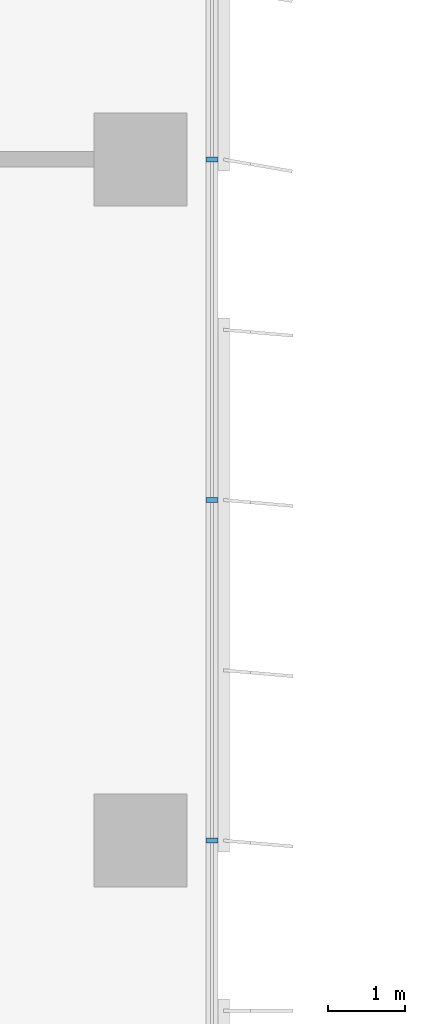
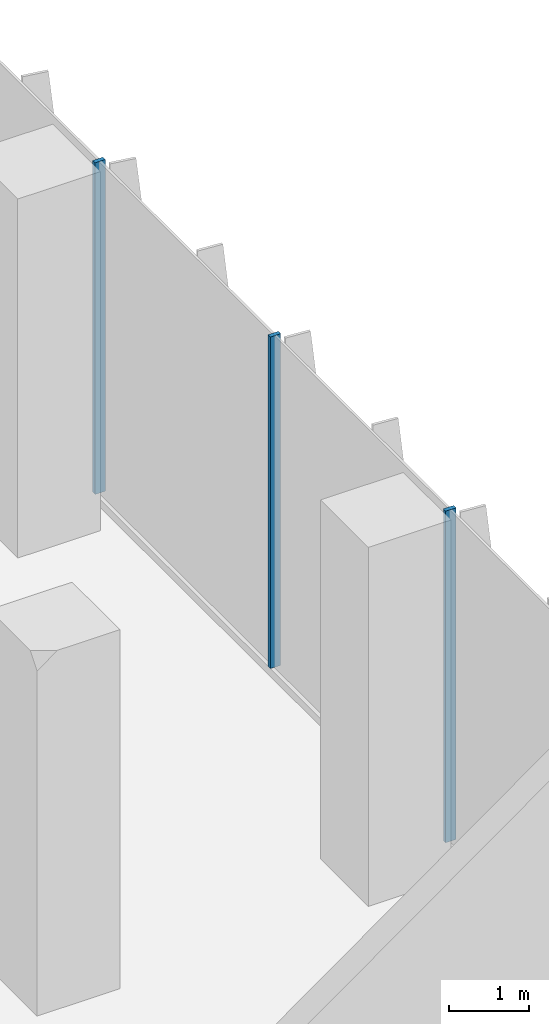
# One storey, part 7 of 26: 3 members, 1 element without a shape of its own.
"""IFC4 building model written with IfcOpenShell, lengths in metres."""

from ifc_helpers import new_model, si_unit, direction, frame, origin, origin_2d, place, context, subcontext, project, spatial, rectangle, extrude, source, transform, mapped, material, material_profile, profile_set, type_object, element, aggregate, save


model = new_model("IFC4")

# Units and contexts
model_context = context("Model", 3, precision=1e-05, world=origin(), true_north=direction((0.0, 1.0)))
body_context = subcontext(model_context, "Body", "Model", "MODEL_VIEW")
ifc_project = project(units=[si_unit("LENGTHUNIT", "METRE"), si_unit("AREAUNIT", "SQUARE_METRE"), si_unit("VOLUMEUNIT", "CUBIC_METRE"), si_unit("PLANEANGLEUNIT", "RADIAN"), si_unit("MASSUNIT", "GRAM", prefix="KILO")], contexts=[model_context])

# Site, building, storey
site_placement = place(None, origin())
site = spatial("IfcSite", under=ifc_project, at=site_placement, CompositionType="ELEMENT")
building_placement = place(site_placement, origin())
building = spatial("IfcBuilding", under=site, at=building_placement, Name="Kemantara Hotel Tower", CompositionType="ELEMENT")
storey_placement = place(building_placement, frame((0.0, 0.0, 101.89990234375)))
storey = spatial("IfcBuildingStorey", under=building, at=storey_placement, Name="L24", CompositionType="ELEMENT", Elevation=101.89990234375)

# Curtain wall, members
ifc_material_1 = material(Name="Low-E tinted double insulated glass 36 mm", Category="glass")
curtain_wall_type = type_object("IfcCurtainWallType", Name="TOWER CURTAIN WALL, FRONT FACES", PredefinedType="USERDEFINED", material=ifc_material_1)
curtain_wall_placement = place(storey_placement, origin())
curtain_wall = element("IfcCurtainWall", 1, at=curtain_wall_placement, inside=storey, type_object=curtain_wall_type, Name="CW4 L24 T2-R14-1", ObjectType="TOWER CURTAIN WALL, FRONT FACES", PredefinedType="USERDEFINED")
ifc_material_2 = material(Name="Aluminium 6063-T6 bronze anodised", Category="aluminium")
ifc_material_profile = material_profile(ifc_material_2, rectangle(XDim=0.14990234375, YDim=0.06005859375, at=origin_2d()), Name="TOWER CURTAIN WALL, FRONT FACES MULLION")
ifc_profile_set = profile_set([ifc_material_profile], Name="Aluminium 6063-T6 bronze anodised")
member_type = type_object("IfcMemberType", Name="TOWER CURTAIN WALL, FRONT FACES MULLION", PredefinedType="MULLION", material=ifc_profile_set)
shared_shape = source(origin(), body_context, "Body", "SweptSolid", [
    extrude(rectangle(XDim=0.14990234375, YDim=0.06005859375, at=origin_2d()), origin(), (0.0, 0.0, 1.0), 5.080078125),
])
member_1_placement = place(storey_placement, frame((26.72509765625, 53.800048828125, 0.1201171875), z_axis=(0.0, 0.0, 1.0), x_axis=(-1.0, 0.0, 0.0)))
member_1 = element("IfcMember", 2, at=member_1_placement, type_object=member_type, Name="CW4 mullion T2-R14-1.9", PredefinedType="MULLION", context=body_context, shape_type="MappedRepresentation", body=[
    mapped(shared_shape, transform((0.0, 0.0, 0.0))),
])
member_2_placement = place(storey_placement, frame((26.72509765625, 58.199951171875, 0.1201171875), z_axis=(0.0, 0.0, 1.0), x_axis=(-1.0, 0.0, 0.0)))
member_2 = element("IfcMember", 3, at=member_2_placement, type_object=member_type, Name="CW4 mullion T2-R14-1.10", PredefinedType="MULLION", context=body_context, shape_type="MappedRepresentation", body=[
    mapped(shared_shape, transform((0.0, 0.0, 0.0))),
])
member_3_placement = place(storey_placement, frame((26.72509765625, 62.60009765625, 0.1201171875), z_axis=(0.0, 0.0, 1.0), x_axis=(-1.0, 0.0, 0.0)))
member_3 = element("IfcMember", 4, at=member_3_placement, type_object=member_type, Name="CW4 mullion T2-R14-1.11", PredefinedType="MULLION", context=body_context, shape_type="MappedRepresentation", body=[
    mapped(shared_shape, transform((0.0, 0.0, 0.0))),
])
aggregate(curtain_wall, [member_1, member_2, member_3])

save(model, "model.ifc")
